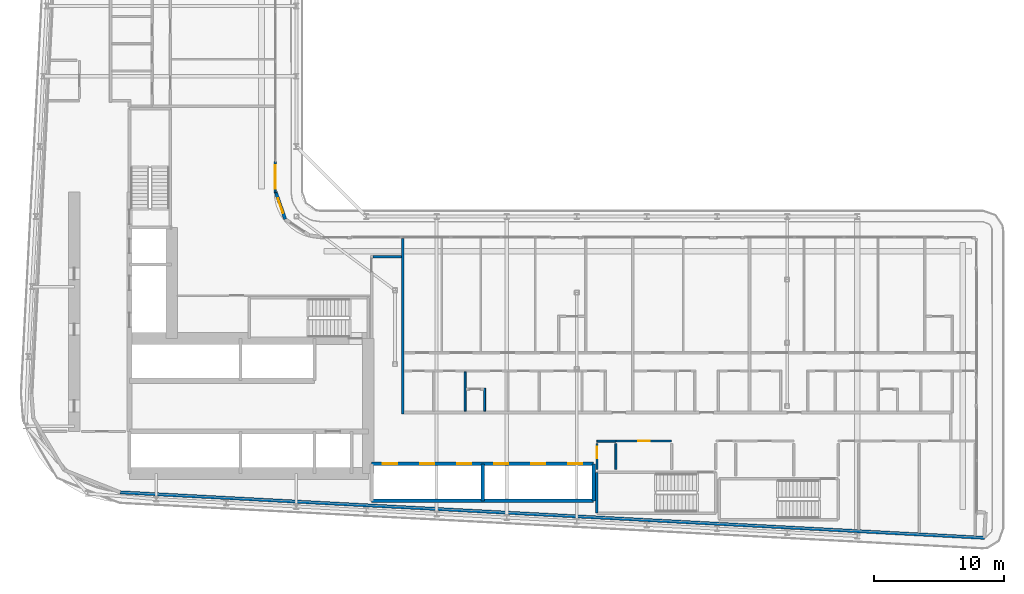
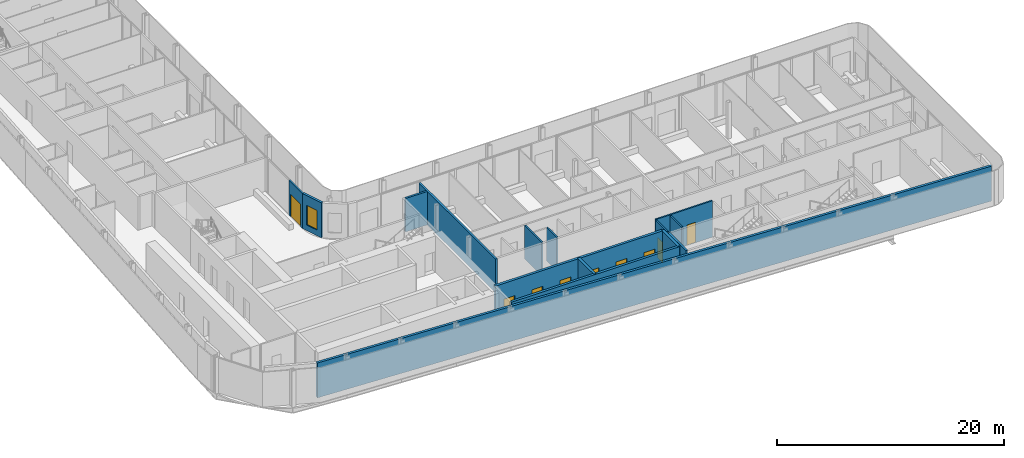
# One storey, part 14 of 28: 16 walls, 9 doors, 1 window, 10 openings.
"""IFC4 building model written with IfcOpenShell, lengths in metres."""

from ifc_helpers import new_model, si_unit, direction, frame, frame_2d, origin, place, context, subcontext, project, spatial, rectangle, extrude, source, transform, mapped, material, layer, layer_set, type_object, element, fill, save


model = new_model("IFC4")

# Units and contexts
model_context = context("Model", 3, precision=1e-05, world=origin(), true_north=direction((0.0, 1.0)))
body_context = subcontext(model_context, "Body", "Model", "MODEL_VIEW")
ifc_project = project(units=[si_unit("LENGTHUNIT", "METRE"), si_unit("AREAUNIT", "SQUARE_METRE"), si_unit("VOLUMEUNIT", "CUBIC_METRE"), si_unit("PLANEANGLEUNIT", "RADIAN"), si_unit("MASSUNIT", "GRAM", prefix="KILO")], contexts=[model_context])

# Site, building, storey
site_placement = place(None, origin())
site = spatial("IfcSite", under=ifc_project, at=site_placement, CompositionType="ELEMENT")
building_placement = place(site_placement, origin())
building = spatial("IfcBuilding", under=site, at=building_placement, Name="Kheshtan School and Residences Tower", CompositionType="ELEMENT")
storey_placement = place(building_placement, frame((0.0, 0.0, 137.0)))
storey = spatial("IfcBuildingStorey", under=building, at=storey_placement, Name="L32", CompositionType="ELEMENT", Elevation=137.0)

# Wall
ifc_material_1 = material(Name="Gypsum board on steel studs with fire boards", Category="steel")
ifc_layer_1 = layer(ifc_material_1, 0.199951171875)
ifc_layer_set_1 = layer_set([ifc_layer_1], Name="Corridor wall 200")
wall_type_1 = type_object("IfcWallType", Name="Corridor wall 200", PredefinedType="PARTITIONING", material=ifc_layer_set_1)
wall_1_placement = place(storey_placement, frame((53.5, 42.5, 0.0), z_axis=(0.0, 0.0, 1.0), x_axis=(1.0, 0.0, 0.0)))
element("IfcWall", 1, at=wall_1_placement, inside=storey, type_object=wall_type_1, Name="Partition L32-044", PredefinedType="PARTITIONING", context=body_context, shape_type="SweptSolid", body=[
    extrude(rectangle(XDim=2.199951171875, YDim=0.199951171875, at=frame_2d((1.10009765625, 0.0))), origin(), (0.0, 0.0, 1.0), 3.60009765625),
])

# Wall, opening, window
ifc_material_2 = material(Name="Concrete C40/50 with ceramic cladding and mineral wool insulation", Category="concrete")
ifc_layer_2 = layer(ifc_material_2, 0.25)
ifc_layer_set_2 = layer_set([ifc_layer_2], Name="External wall 250 ceramic clad")
wall_type_2 = type_object("IfcWallType", Name="External wall 250 ceramic clad", PredefinedType="SOLIDWALL", material=ifc_layer_set_2)
wall_2_placement = place(storey_placement, frame((46.01806640625, 47.470947265625, 0.0), z_axis=(0.0, 0.0, 1.0), x_axis=(0.328791208903, -0.944402637093, 0.0)))
wall_2 = element("IfcWall", 2, at=wall_2_placement, inside=storey, type_object=wall_type_2, Name="External wall L32 9", PredefinedType="SOLIDWALL", context=body_context, shape_type="SweptSolid", body=[
    extrude(rectangle(XDim=2.20458984375, YDim=0.25, at=frame_2d((1.102294921875, 0.0))), origin(), (0.0, 0.0, 1.0), 3.75),
])
opening_1_placement = place(wall_2_placement, frame((0.5029296875, 0.0, 0.60009765625)))
opening_1 = element("IfcOpeningElement", 3, at=opening_1_placement, cuts=wall_2, Name="Opening WN-E", PredefinedType="OPENING", context=body_context, shape_type="SweptSolid", body=[
    extrude(rectangle(XDim=1.199951171875, YDim=2.10009765625, at=frame_2d((0.60009765625, 1.050048828125))), frame((0.0, 0.135009765625, 0.0), z_axis=(0.0, -1.0, 0.0), x_axis=(1.0, 0.0, 0.0)), (0.0, 0.0, 1.0), 0.27001953125),
])
ifc_material_3 = material(Name="Clear low-e glass in thermally broken aluminium frame", Category="aluminium")
window_type = type_object("IfcWindowType", Name="Window WN-E", PartitioningType="SINGLE_PANEL", PredefinedType="WINDOW", material=ifc_material_3)
shared_shape_1 = source(origin(), body_context, "Body", "SweptSolid", [
    extrude(rectangle(XDim=1.199951171875, YDim=2.10009765625, at=frame_2d((0.60009765625, 1.050048828125))), frame((0.0, 0.030029296875, 0.0), z_axis=(0.0, -1.0, 0.0), x_axis=(1.0, 0.0, 0.0)), (0.0, 0.0, 1.0), 0.06005859375),
])
window_placement = place(opening_1_placement, origin())
window = element("IfcWindow", 4, at=window_placement, inside=storey, type_object=window_type, Name="Window L32 9", OverallHeight=2.10009765625, OverallWidth=1.199951171875, PartitioningType="SINGLE_PANEL", PredefinedType="WINDOW", context=body_context, shape_type="MappedRepresentation", body=[
    mapped(shared_shape_1, transform((0.0, 0.0, 0.0), x_axis=(1.0, 0.0, 0.0), y_axis=(0.0, 1.0, 0.0), z_axis=(0.0, 0.0, 1.0), scale=1.0)),
])
fill(opening_1, window)

# Wall
wall_3_placement = place(storey_placement, frame((100.5859375, 20.85009765625, 0.0), z_axis=(0.0, 0.0, 1.0), x_axis=(-0.99861746497, 0.052565755559, 0.0)))
element("IfcWall", 5, at=wall_3_placement, inside=storey, type_object=wall_type_2, Name="External wall L32 16", PredefinedType="SOLIDWALL", context=body_context, shape_type="SweptSolid", body=[
    extrude(rectangle(XDim=66.638916015625, YDim=0.25, at=frame_2d((33.3193359375, 0.0))), origin(), (0.0, 0.0, 1.0), 3.75),
])

# Wall, opening, door
ifc_material_4 = material(Name="Aluminium frame wall with insulated infill", Category="aluminium")
ifc_layer_3 = layer(ifc_material_4, 0.14990234375)
ifc_layer_set_3 = layer_set([ifc_layer_3], Name="Glazing frame wall 150")
wall_type_3 = type_object("IfcWallType", Name="Glazing frame wall 150", PredefinedType="SOLIDWALL", material=ifc_layer_set_3)
wall_4_placement = place(storey_placement, frame((45.97509765625, 49.830078125, 0.0), z_axis=(0.0, 0.0, 1.0), x_axis=(0.0, -1.0, 0.0)))
wall_4 = element("IfcWall", 6, at=wall_4_placement, inside=storey, type_object=wall_type_3, Name="Balcony door wall L32 8.5", PredefinedType="SOLIDWALL", context=body_context, shape_type="SweptSolid", body=[
    extrude(rectangle(XDim=2.400146484375, YDim=0.14990234375, at=frame_2d((1.2001953125, 0.0))), origin(), (0.0, 0.0, 1.0), 3.75),
])
opening_2_placement = place(wall_4_placement, frame((0.300048828125, 0.0, 0.0)))
opening_2 = element("IfcOpeningElement", 7, at=opening_2_placement, cuts=wall_4, Name="Opening BD", PredefinedType="OPENING", context=body_context, shape_type="SweptSolid", body=[
    extrude(rectangle(XDim=1.800048828125, YDim=2.39990234375, at=frame_2d((0.89990234375, 1.199951171875))), frame((0.0, 0.0849609375, 0.0), z_axis=(0.0, -1.0, 0.0), x_axis=(1.0, 0.0, 0.0)), (0.0, 0.0, 1.0), 0.169921875),
])
door_type_1 = type_object("IfcDoorType", Name="Balcony sliding door", OperationType="SLIDING_TO_LEFT", PredefinedType="DOOR", material=ifc_material_3)
shared_shape_2 = source(origin(), body_context, "Body", "SweptSolid", [
    extrude(rectangle(XDim=1.800048828125, YDim=2.39990234375, at=frame_2d((0.89990234375, 1.199951171875))), frame((0.0, 0.02490234375, 0.0), z_axis=(0.0, -1.0, 0.0), x_axis=(1.0, 0.0, 0.0)), (0.0, 0.0, 1.0), 0.050048828125),
])
door_1_placement = place(opening_2_placement, origin())
door_1 = element("IfcDoor", 8, at=door_1_placement, inside=storey, type_object=door_type_1, Name="Balcony door L32 8.5", OperationType="SLIDING_TO_LEFT", OverallHeight=2.39990234375, OverallWidth=1.800048828125, PredefinedType="DOOR", context=body_context, shape_type="MappedRepresentation", body=[
    mapped(shared_shape_2, transform((0.0, 0.0, 0.0), x_axis=(1.0, 0.0, 0.0), y_axis=(0.0, 1.0, 0.0), z_axis=(0.0, 0.0, 1.0), scale=1.0)),
])
fill(opening_2, door_1)

# Wall
ifc_material_5 = material(Name="Fire-board shaft wall system")
ifc_layer_4 = layer(ifc_material_5, 0.14990234375)
ifc_layer_set_4 = layer_set([ifc_layer_4], Name="Service room wall 150")
wall_type_4 = type_object("IfcWallType", Name="Service room wall 150", PredefinedType="PARTITIONING", material=ifc_layer_set_4)
wall_5_placement = place(storey_placement, frame((70.75, 28.300048828125, 0.0), z_axis=(0.0, 0.0, 1.0), x_axis=(1.0, 0.0, 0.0)))
element("IfcWall", 9, at=wall_5_placement, inside=storey, type_object=wall_type_4, Name="Service room wall", PredefinedType="PARTITIONING", context=body_context, shape_type="SweptSolid", body=[
    extrude(rectangle(XDim=1.467041015625, YDim=0.14990234375, at=frame_2d((0.7333984375, 0.0))), origin(), (0.0, 0.0, 1.0), 3.89990234375),
])

# Wall, opening, door
wall_6_placement = place(storey_placement, frame((70.75, 26.1201171875, 0.0), z_axis=(0.0, 0.0, 1.0), x_axis=(0.0, 1.0, 0.0)))
wall_6 = element("IfcWall", 10, at=wall_6_placement, inside=storey, type_object=wall_type_4, Name="Service room wall", PredefinedType="PARTITIONING", context=body_context, shape_type="SweptSolid", body=[
    extrude(rectangle(XDim=1.98486328125, YDim=0.14990234375, at=frame_2d((0.992431640625, 0.0))), origin(), (0.0, 0.0, 1.0), 3.89990234375),
])
opening_3_placement = place(wall_6_placement, frame((0.85498046875, 0.0, 0.0)))
opening_3 = element("IfcOpeningElement", 11, at=opening_3_placement, cuts=wall_6, Name="Opening SR90", PredefinedType="OPENING", context=body_context, shape_type="SweptSolid", body=[
    extrude(rectangle(XDim=0.89990234375, YDim=2.199951171875, at=frame_2d((0.449951171875, 1.10009765625))), frame((0.0, 0.0849609375, 0.0), z_axis=(0.0, -1.0, 0.0), x_axis=(1.0, 0.0, 0.0)), (0.0, 0.0, 1.0), 0.169921875),
])
ifc_material_6 = material(Name="Steel door leaf, galvanised", Category="steel")
door_type_2 = type_object("IfcDoorType", Name="Service room door 900 steel 90 min", OperationType="SINGLE_SWING_LEFT", PredefinedType="DOOR", material=ifc_material_6)
shared_shape_3 = source(origin(), body_context, "Body", "SweptSolid", [
    extrude(rectangle(XDim=0.89990234375, YDim=2.199951171875, at=frame_2d((0.449951171875, 1.10009765625))), frame((0.0, 0.02490234375, 0.0), z_axis=(0.0, -1.0, 0.0), x_axis=(1.0, 0.0, 0.0)), (0.0, 0.0, 1.0), 0.050048828125),
])
door_2_placement = place(opening_3_placement, origin())
door_2 = element("IfcDoor", 12, at=door_2_placement, inside=storey, type_object=door_type_2, Name="Service room door", OperationType="SINGLE_SWING_LEFT", OverallHeight=2.199951171875, OverallWidth=0.89990234375, PredefinedType="DOOR", context=body_context, shape_type="MappedRepresentation", body=[
    mapped(shared_shape_3, transform((0.0, 0.0, 0.0), x_axis=(1.0, 0.0, 0.0), y_axis=(0.0, 1.0, 0.0), z_axis=(0.0, 0.0, 1.0), scale=1.0)),
])
fill(opening_3, door_2)

# Wall
wall_7_placement = place(storey_placement, frame((72.217041015625, 26.1201171875, 0.0), z_axis=(0.0, 0.0, 1.0), x_axis=(0.0, 1.0, 0.0)))
element("IfcWall", 13, at=wall_7_placement, inside=storey, type_object=wall_type_4, Name="Service room wall", PredefinedType="PARTITIONING", context=body_context, shape_type="SweptSolid", body=[
    extrude(rectangle(XDim=1.98486328125, YDim=0.14990234375, at=frame_2d((0.992431640625, 0.0))), origin(), (0.0, 0.0, 1.0), 3.89990234375),
])

# Wall, opening, door
wall_8_placement = place(storey_placement, frame((72.217041015625, 28.300048828125, 0.0), z_axis=(0.0, 0.0, 1.0), x_axis=(1.0, 0.0, 0.0)))
wall_8 = element("IfcWall", 14, at=wall_8_placement, inside=storey, type_object=wall_type_4, Name="Service room wall", PredefinedType="PARTITIONING", context=body_context, shape_type="SweptSolid", body=[
    extrude(rectangle(XDim=4.29296875, YDim=0.14990234375, at=frame_2d((2.146484375, 0.0))), origin(), (0.0, 0.0, 1.0), 3.89990234375),
])
opening_4_placement = place(wall_8_placement, frame((1.697021484375, 0.0, 0.0)))
opening_4 = element("IfcOpeningElement", 15, at=opening_4_placement, cuts=wall_8, Name="Opening SR90", PredefinedType="OPENING", context=body_context, shape_type="SweptSolid", body=[
    extrude(rectangle(XDim=0.89990234375, YDim=2.199951171875, at=frame_2d((0.449951171875, 1.10009765625))), frame((0.0, 0.0849609375, 0.0), z_axis=(0.0, -1.0, 0.0), x_axis=(1.0, 0.0, 0.0)), (0.0, 0.0, 1.0), 0.169921875),
])
door_3_placement = place(opening_4_placement, origin())
door_3 = element("IfcDoor", 16, at=door_3_placement, inside=storey, type_object=door_type_2, Name="Service room door", OperationType="SINGLE_SWING_RIGHT", OverallHeight=2.199951171875, OverallWidth=0.89990234375, PredefinedType="DOOR", context=body_context, shape_type="MappedRepresentation", body=[
    mapped(shared_shape_3, transform((0.0, 0.0, 0.0), x_axis=(1.0, 0.0, 0.0), y_axis=(0.0, 1.0, 0.0), z_axis=(0.0, 0.0, 1.0), scale=1.0)),
])
fill(opening_4, door_3)

# Walls
ifc_layer_5 = layer(ifc_material_5, 0.25)
ifc_layer_set_5 = layer_set([ifc_layer_5], Name="Shaft lining wall 250")
wall_type_5 = type_object("IfcWallType", Name="Shaft lining wall 250", PredefinedType="PARTITIONING", material=ifc_layer_set_5)
for number, where, z_axis, x_axis, name in (
    (17, (61.949951171875, 23.699951171875, 0.0), (0.0, 0.0, 1.0), (0.0, 1.0, 0.0), "Shaft lining wall"),
    (18, (70.5, 23.699951171875, 0.0), (0.0, 0.0, 1.0), (0.0, 1.0, 0.0), "Shaft lining wall"),
):
    element("IfcWall", number, at=place(storey_placement, frame(where, z_axis=z_axis, x_axis=x_axis)), inside=storey, type_object=wall_type_5, Name=name, PredefinedType="PARTITIONING", context=body_context, shape_type="SweptSolid", body=[
        extrude(rectangle(XDim=2.85009765625, YDim=0.25, at=frame_2d((1.425048828125, 0.0))), origin(), (0.0, 0.0, 1.0), 3.89990234375),
    ])
wall_9_placement = place(storey_placement, frame((53.39990234375, 23.699951171875, 0.0), z_axis=(0.0, 0.0, 1.0), x_axis=(1.0, 0.0, 0.0)))
element("IfcWall", 19, at=wall_9_placement, inside=storey, type_object=wall_type_5, Name="Shaft lining wall", PredefinedType="PARTITIONING", context=body_context, shape_type="SweptSolid", body=[
    extrude(rectangle(XDim=17.10009765625, YDim=0.25, at=frame_2d((8.550048828125, 0.0))), origin(), (0.0, 0.0, 1.0), 3.89990234375),
])

# Wall, openings, doors
wall_10_placement = place(storey_placement, frame((53.39990234375, 26.550048828125, 0.0), z_axis=(0.0, 0.0, 1.0), x_axis=(1.0, 0.0, 0.0)))
wall_10 = element("IfcWall", 20, at=wall_10_placement, inside=storey, type_object=wall_type_5, Name="Shaft lining wall", PredefinedType="PARTITIONING", context=body_context, shape_type="SweptSolid", body=[
    extrude(rectangle(XDim=17.10009765625, YDim=0.25, at=frame_2d((8.550048828125, 0.0))), origin(), (0.0, 0.0, 1.0), 3.89990234375),
])
opening_5_placement = place(wall_10_placement, frame((0.875, 0.0, 0.0)))
opening_5 = element("IfcOpeningElement", 21, at=opening_5_placement, cuts=wall_10, Name="Opening LD", PredefinedType="OPENING", context=body_context, shape_type="SweptSolid", body=[
    extrude(rectangle(XDim=1.10009765625, YDim=2.199951171875, at=frame_2d((0.550048828125, 1.10009765625))), frame((0.0, 0.135009765625, 0.0), z_axis=(0.0, -1.0, 0.0), x_axis=(1.0, 0.0, 0.0)), (0.0, 0.0, 1.0), 0.27001953125),
])
opening_6_placement = place(wall_10_placement, frame((3.72509765625, 0.0, 0.0)))
opening_6 = element("IfcOpeningElement", 22, at=opening_6_placement, cuts=wall_10, Name="Opening LD", PredefinedType="OPENING", context=body_context, shape_type="SweptSolid", body=[
    extrude(rectangle(XDim=1.10009765625, YDim=2.199951171875, at=frame_2d((0.550048828125, 1.10009765625))), frame((0.0, 0.135009765625, 0.0), z_axis=(0.0, -1.0, 0.0), x_axis=(1.0, 0.0, 0.0)), (0.0, 0.0, 1.0), 0.27001953125),
])
opening_7_placement = place(wall_10_placement, frame((6.574951171875, 0.0, 0.0)))
opening_7 = element("IfcOpeningElement", 23, at=opening_7_placement, cuts=wall_10, Name="Opening LD", PredefinedType="OPENING", context=body_context, shape_type="SweptSolid", body=[
    extrude(rectangle(XDim=1.10009765625, YDim=2.199951171875, at=frame_2d((0.550048828125, 1.10009765625))), frame((0.0, 0.135009765625, 0.0), z_axis=(0.0, -1.0, 0.0), x_axis=(1.0, 0.0, 0.0)), (0.0, 0.0, 1.0), 0.27001953125),
])
opening_8_placement = place(wall_10_placement, frame((9.425048828125, 0.0, 0.0)))
opening_8 = element("IfcOpeningElement", 24, at=opening_8_placement, cuts=wall_10, Name="Opening LD", PredefinedType="OPENING", context=body_context, shape_type="SweptSolid", body=[
    extrude(rectangle(XDim=1.10009765625, YDim=2.199951171875, at=frame_2d((0.550048828125, 1.10009765625))), frame((0.0, 0.135009765625, 0.0), z_axis=(0.0, -1.0, 0.0), x_axis=(1.0, 0.0, 0.0)), (0.0, 0.0, 1.0), 0.27001953125),
])
opening_9_placement = place(wall_10_placement, frame((12.27490234375, 0.0, 0.0)))
opening_9 = element("IfcOpeningElement", 25, at=opening_9_placement, cuts=wall_10, Name="Opening LD", PredefinedType="OPENING", context=body_context, shape_type="SweptSolid", body=[
    extrude(rectangle(XDim=1.10009765625, YDim=2.199951171875, at=frame_2d((0.550048828125, 1.10009765625))), frame((0.0, 0.135009765625, 0.0), z_axis=(0.0, -1.0, 0.0), x_axis=(1.0, 0.0, 0.0)), (0.0, 0.0, 1.0), 0.27001953125),
])
opening_10_placement = place(wall_10_placement, frame((15.125, 0.0, 0.0)))
opening_10 = element("IfcOpeningElement", 26, at=opening_10_placement, cuts=wall_10, Name="Opening LD", PredefinedType="OPENING", context=body_context, shape_type="SweptSolid", body=[
    extrude(rectangle(XDim=1.10009765625, YDim=2.199951171875, at=frame_2d((0.550048828125, 1.10009765625))), frame((0.0, 0.135009765625, 0.0), z_axis=(0.0, -1.0, 0.0), x_axis=(1.0, 0.0, 0.0)), (0.0, 0.0, 1.0), 0.27001953125),
])
ifc_material_7 = material(Name="Stainless steel door leaves", Category="steel")
door_type_3 = type_object("IfcDoorType", Name="Lift landing door 1100", OperationType="SLIDING_TO_LEFT", PredefinedType="DOOR", material=ifc_material_7)
shared_shape_4 = source(origin(), body_context, "Body", "SweptSolid", [
    extrude(rectangle(XDim=1.10009765625, YDim=2.199951171875, at=frame_2d((0.550048828125, 1.10009765625))), frame((0.0, 0.02490234375, 0.0), z_axis=(0.0, -1.0, 0.0), x_axis=(1.0, 0.0, 0.0)), (0.0, 0.0, 1.0), 0.050048828125),
])
door_4_placement = place(opening_5_placement, origin())
door_4 = element("IfcDoor", 27, at=door_4_placement, inside=storey, type_object=door_type_3, Name="Lift P1 landing door", OperationType="SLIDING_TO_LEFT", OverallHeight=2.199951171875, OverallWidth=1.10009765625, PredefinedType="DOOR", context=body_context, shape_type="MappedRepresentation", body=[
    mapped(shared_shape_4, transform((0.0, 0.0, 0.0), x_axis=(1.0, 0.0, 0.0), y_axis=(0.0, 1.0, 0.0), z_axis=(0.0, 0.0, 1.0), scale=1.0)),
])
fill(opening_5, door_4)
door_5_placement = place(opening_6_placement, origin())
door_5 = element("IfcDoor", 28, at=door_5_placement, inside=storey, type_object=door_type_3, Name="Lift P2 landing door", OperationType="SLIDING_TO_LEFT", OverallHeight=2.199951171875, OverallWidth=1.10009765625, PredefinedType="DOOR", context=body_context, shape_type="MappedRepresentation", body=[
    mapped(shared_shape_4, transform((0.0, 0.0, 0.0), x_axis=(1.0, 0.0, 0.0), y_axis=(0.0, 1.0, 0.0), z_axis=(0.0, 0.0, 1.0), scale=1.0)),
])
fill(opening_6, door_5)
door_6_placement = place(opening_7_placement, origin())
door_6 = element("IfcDoor", 29, at=door_6_placement, inside=storey, type_object=door_type_3, Name="Lift P3 landing door", OperationType="SLIDING_TO_LEFT", OverallHeight=2.199951171875, OverallWidth=1.10009765625, PredefinedType="DOOR", context=body_context, shape_type="MappedRepresentation", body=[
    mapped(shared_shape_4, transform((0.0, 0.0, 0.0), x_axis=(1.0, 0.0, 0.0), y_axis=(0.0, 1.0, 0.0), z_axis=(0.0, 0.0, 1.0), scale=1.0)),
])
fill(opening_7, door_6)
door_7_placement = place(opening_8_placement, origin())
door_7 = element("IfcDoor", 30, at=door_7_placement, inside=storey, type_object=door_type_3, Name="Lift P4 landing door", OperationType="SLIDING_TO_LEFT", OverallHeight=2.199951171875, OverallWidth=1.10009765625, PredefinedType="DOOR", context=body_context, shape_type="MappedRepresentation", body=[
    mapped(shared_shape_4, transform((0.0, 0.0, 0.0), x_axis=(1.0, 0.0, 0.0), y_axis=(0.0, 1.0, 0.0), z_axis=(0.0, 0.0, 1.0), scale=1.0)),
])
fill(opening_8, door_7)
door_8_placement = place(opening_9_placement, origin())
door_8 = element("IfcDoor", 31, at=door_8_placement, inside=storey, type_object=door_type_3, Name="Lift P5 landing door", OperationType="SLIDING_TO_LEFT", OverallHeight=2.199951171875, OverallWidth=1.10009765625, PredefinedType="DOOR", context=body_context, shape_type="MappedRepresentation", body=[
    mapped(shared_shape_4, transform((0.0, 0.0, 0.0), x_axis=(1.0, 0.0, 0.0), y_axis=(0.0, 1.0, 0.0), z_axis=(0.0, 0.0, 1.0), scale=1.0)),
])
fill(opening_9, door_8)
door_9_placement = place(opening_10_placement, origin())
door_9 = element("IfcDoor", 32, at=door_9_placement, inside=storey, type_object=door_type_3, Name="Lift P6 landing door", OperationType="SLIDING_TO_LEFT", OverallHeight=2.199951171875, OverallWidth=1.10009765625, PredefinedType="DOOR", context=body_context, shape_type="MappedRepresentation", body=[
    mapped(shared_shape_4, transform((0.0, 0.0, 0.0), x_axis=(1.0, 0.0, 0.0), y_axis=(0.0, 1.0, 0.0), z_axis=(0.0, 0.0, 1.0), scale=1.0)),
])
fill(opening_10, door_9)

# Walls
ifc_material_8 = material(Name="Concrete C40/50", Category="concrete")
ifc_layer_6 = layer(ifc_material_8, 0.199951171875)
ifc_layer_set_6 = layer_set([ifc_layer_6], Name="Stair enclosure wall 200 Concrete C40/50")
wall_type_6 = type_object("IfcWallType", Name="Stair enclosure wall 200 Concrete C40/50", PredefinedType="SHEAR", material=ifc_layer_set_6)
wall_11_placement = place(storey_placement, frame((70.75, 22.75, 0.0), z_axis=(0.0, 0.0, 1.0), x_axis=(0.0, 1.0, 0.0)))
element("IfcWall", 33, at=wall_11_placement, inside=storey, type_object=wall_type_6, Name="Stair enclosure wall ST5", PredefinedType="SHEAR", context=body_context, shape_type="SweptSolid", body=[
    extrude(rectangle(XDim=3.14990234375, YDim=0.199951171875, at=frame_2d((1.574951171875, 0.0))), origin(), (0.0, 0.0, 1.0), 3.89990234375),
])
ifc_material_9 = material(Name="Twin gypsum board on steel studs with mineral wool", Category="steel")
ifc_layer_7 = layer(ifc_material_9, 0.199951171875)
ifc_layer_set_7 = layer_set([ifc_layer_7], Name="Unit demising wall 200")
wall_type_7 = type_object("IfcWallType", Name="Unit demising wall 200", PredefinedType="PARTITIONING", material=ifc_layer_set_7)
wall_12_placement = place(storey_placement, frame((55.800048828125, 30.39990234375, 0.0), z_axis=(0.0, 0.0, 1.0), x_axis=(0.0, 1.0, 0.0)))
element("IfcWall", 34, at=wall_12_placement, inside=storey, type_object=wall_type_7, Name="Partition L32-045", PredefinedType="PARTITIONING", context=body_context, shape_type="SweptSolid", body=[
    extrude(rectangle(XDim=13.5, YDim=0.199951171875, at=frame_2d((6.75, 0.0))), origin(), (0.0, 0.0, 1.0), 3.60009765625),
])
ifc_material_10 = material(Name="Moisture-resistant gypsum board on steel studs", Category="steel")
ifc_layer_8 = layer(ifc_material_10, 0.14990234375)
ifc_layer_set_8 = layer_set([ifc_layer_8], Name="Wet-room partition 150")
wall_type_8 = type_object("IfcWallType", Name="Wet-room partition 150", PredefinedType="PARTITIONING", material=ifc_layer_set_8)
wall_13_placement = place(storey_placement, frame((60.60009765625, 30.60009765625, 0.0), z_axis=(0.0, 0.0, 1.0), x_axis=(0.0, 1.0, 0.0)))
element("IfcWall", 35, at=wall_13_placement, inside=storey, type_object=wall_type_8, Name="Partition L32-051", PredefinedType="PARTITIONING", context=body_context, shape_type="SweptSolid", body=[
    extrude(rectangle(XDim=3.02490234375, YDim=0.14990234375, at=frame_2d((1.512451171875, 0.0))), origin(), (0.0, 0.0, 1.0), 3.60009765625),
])
wall_14_placement = place(storey_placement, frame((62.10009765625, 30.60009765625, 0.0), z_axis=(0.0, 0.0, 1.0), x_axis=(0.0, 1.0, 0.0)))
element("IfcWall", 36, at=wall_14_placement, inside=storey, type_object=wall_type_8, Name="Partition L32-054", PredefinedType="PARTITIONING", context=body_context, shape_type="SweptSolid", body=[
    extrude(rectangle(XDim=1.77490234375, YDim=0.14990234375, at=frame_2d((0.887451171875, 0.0))), origin(), (0.0, 0.0, 1.0), 3.60009765625),
])

save(model, "model.ifc")
